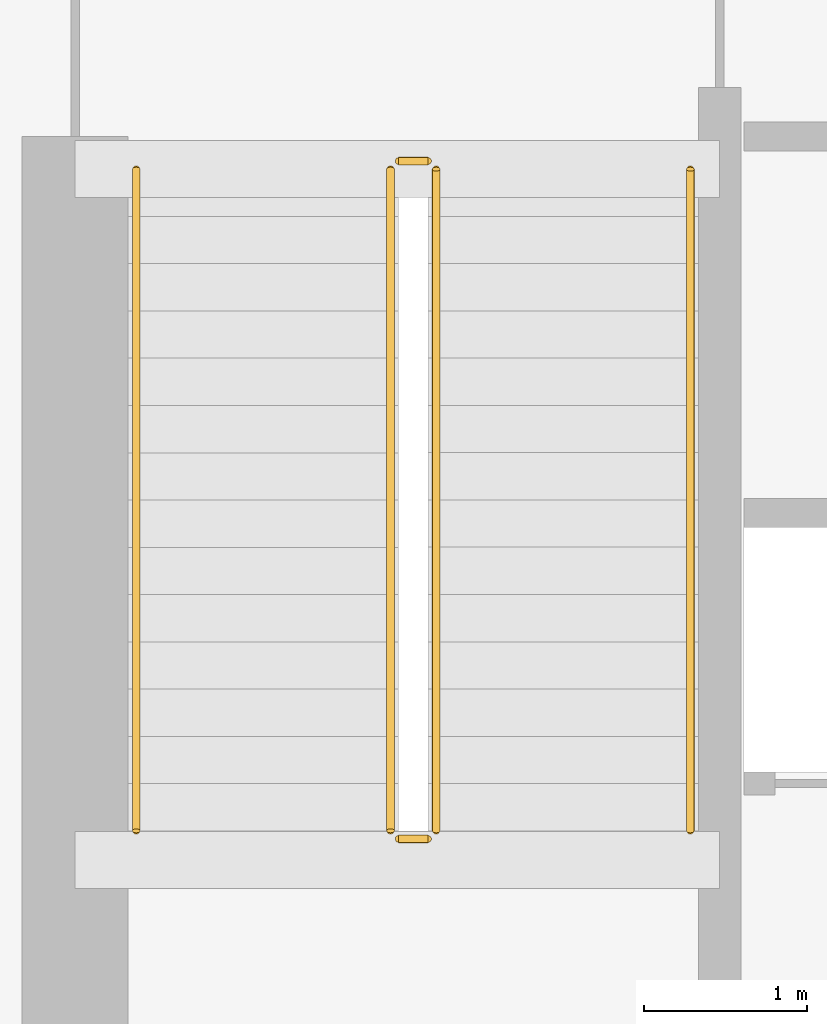
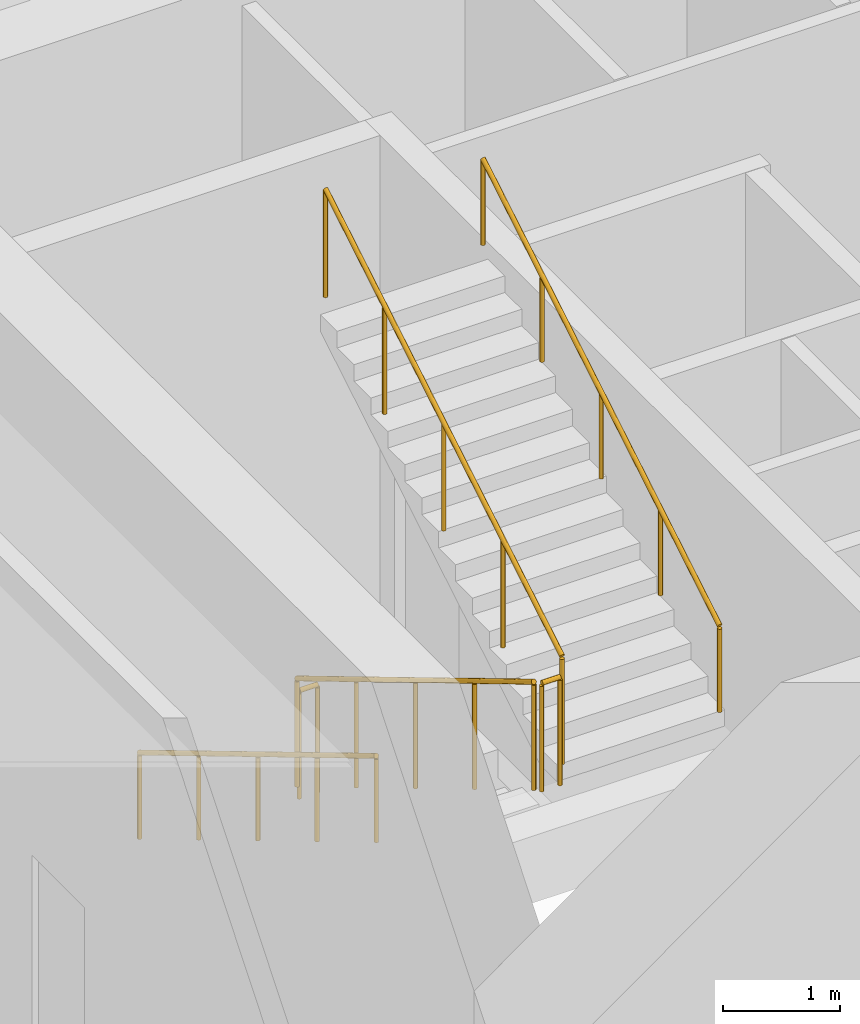
# One storey, part 8 of 10: 6 railings.
"""IFC4 building model written with IfcOpenShell, lengths in metres."""

import ifcopenshell
import ifcopenshell.guid

model = None  # the IFC model being written
_history = None  # IfcOwnerHistory: only IFC2X3 demands one
_inside = {}  # id of a spatial element -> (the spatial element, [elements in it])
_under = {}  # id of a project, library or spatial element -> (it, [spatial elements below it])
_declared = {}  # id of a project -> (the project, [libraries it declares])
_typed = {}  # id of a type object -> (the type object, [elements of that type])
_made_of = {}  # id of a material, layer set ... -> (it, [elements and type objects made of it])


def new_model(schema):
    """Start an empty IFC model of exactly this schema.

    Asked for "IFC4X3", IfcOpenShell would pick the latest addendum, in which some entities
    have other attributes; the version numbers below select the first issue.
    IFC2X3 requires an IfcOwnerHistory on every rooted entity: one is made here for all.
    """
    global model, _history
    if schema == "IFC4X3":
        model = ifcopenshell.file(schema_version=(4, 3, 0, 0))
    else:
        model = ifcopenshell.file(schema=schema)
    _inside.clear()
    _under.clear()
    _declared.clear()
    _typed.clear()
    _made_of.clear()
    _history = None
    if model.schema == "IFC2X3":
        org = make("IfcOrganization", Name="unknown")
        user = make(
            "IfcPersonAndOrganization",
            ThePerson=make("IfcPerson", FamilyName="unknown"),
            TheOrganization=org,
        )
        app = make(
            "IfcApplication",
            ApplicationDeveloper=org,
            Version="unknown",
            ApplicationFullName="unknown",
            ApplicationIdentifier="unknown",
        )
        _history = make(
            "IfcOwnerHistory",
            OwningUser=user,
            OwningApplication=app,
            ChangeAction="ADDED",
            CreationDate=0,
        )
    return model


def make(cls, **values):
    """One entity of the class cls with the attributes given. An attribute that is None is left unset."""
    return model.create_entity(
        cls, **{name: value for name, value in values.items() if value is not None}
    )


def rooted(cls, **values):
    """An entity with a GlobalId (a new one), such as an element, a storey or a relation."""
    return make(cls, GlobalId=ifcopenshell.guid.new(), OwnerHistory=_history, **values)


def si_unit(unit_type, name, prefix=None):
    """IfcSIUnit, for example si_unit("LENGTHUNIT", "METRE", prefix="MILLI")."""
    return make("IfcSIUnit", UnitType=unit_type, Prefix=prefix, Name=name)


def assignment(units):
    """IfcUnitAssignment: the units of a project."""
    return None if units is None else make("IfcUnitAssignment", Units=units)


def point(xyz):
    """IfcCartesianPoint."""
    return None if xyz is None else make("IfcCartesianPoint", Coordinates=xyz)


def direction(xyz):
    """IfcDirection."""
    return None if xyz is None else make("IfcDirection", DirectionRatios=xyz)


def frame(location, z_axis=None, x_axis=None):
    """IfcAxis2Placement3D, a coordinate frame: its origin and axes. An axis left out is left unset."""
    return make(
        "IfcAxis2Placement3D",
        Location=point(location),
        Axis=direction(z_axis),
        RefDirection=direction(x_axis),
    )


def frame_2d(location, x_axis=None):
    """IfcAxis2Placement2D, a coordinate frame in the plane: its origin and x axis."""
    return make(
        "IfcAxis2Placement2D", Location=point(location), RefDirection=direction(x_axis)
    )


def origin():
    """The frame at (0, 0, 0) with its axes left unset."""
    return frame((0.0, 0.0, 0.0))


def origin_2d():
    """The frame at (0, 0) in the plane with its x axis left unset."""
    return frame_2d((0.0, 0.0))


def place(relative_to, where):
    """IfcLocalPlacement: puts the frame where relative to a parent placement (None: the world)."""
    return make(
        "IfcLocalPlacement", PlacementRelTo=relative_to, RelativePlacement=where
    )


def context(
    kind, dimensions, precision=None, world=None, true_north=None, identifier=None
):
    """IfcGeometricRepresentationContext, for example the 3D "Model" context."""
    return make(
        "IfcGeometricRepresentationContext",
        ContextIdentifier=identifier,
        ContextType=kind,
        CoordinateSpaceDimension=dimensions,
        Precision=precision,
        WorldCoordinateSystem=world,
        TrueNorth=true_north,
    )


def subcontext(parent, identifier, kind, view, scale=None):
    """IfcGeometricRepresentationSubContext, for example "Body" below "Model"."""
    return make(
        "IfcGeometricRepresentationSubContext",
        ContextIdentifier=identifier,
        ContextType=kind,
        ParentContext=parent,
        TargetScale=scale,
        TargetView=view,
    )


def project(units=None, contexts=None):
    """IfcProject with its units and contexts."""
    return rooted(
        "IfcProject",
        Name="project",
        RepresentationContexts=contexts,
        UnitsInContext=assignment(units),
    )


def spatial(cls, under=None, at=None, **own):
    """A site, building, storey or space (cls), placed at a placement, below another one or the project."""
    s = rooted(cls, ObjectPlacement=at, **own)
    if under is not None:
        _under.setdefault(under.id(), (under, []))[1].append(s)
    return s


def profile(cls, at=None, kind="AREA", **sizes):
    """A parametric profile (cls). Its sizes go by their IFC names, for example OverallWidth=200.0."""
    return make(cls, ProfileType=kind, Position=at, **sizes)


def circle(**sizes):
    """IfcCircleProfileDef."""
    return profile("IfcCircleProfileDef", **sizes)


def extrude(swept, where, along, depth):
    """IfcExtrudedAreaSolid: the profile swept, set in the frame where, extruded along a direction by depth."""
    return make(
        "IfcExtrudedAreaSolid",
        SweptArea=swept,
        Position=where,
        ExtrudedDirection=direction(along),
        Depth=depth,
    )


def shape(context_of_items, identifier, shape_type, items):
    """IfcShapeRepresentation: the items that make up one representation, for example the "Body"."""
    return make(
        "IfcShapeRepresentation",
        ContextOfItems=context_of_items,
        RepresentationIdentifier=identifier,
        RepresentationType=shape_type,
        Items=items,
    )


def material(Name=None, Category=None):
    """IfcMaterial."""
    return make("IfcMaterial", Name=Name, Category=Category)


def made_of(thing, what):
    """Note that an element or type object is made of a material, layer set ...; save() writes the relation."""
    if what is not None:
        _made_of.setdefault(what.id(), (what, []))[1].append(thing)
    return thing


def type_object(cls, material=None, **own):
    """A type object (cls), such as IfcWallType, which elements share."""
    return made_of(rooted(cls, **own), material)


def element(
    cls,
    number,
    at=None,
    inside=None,
    cuts=None,
    type_object=None,
    material=None,
    context=None,
    identifier="Body",
    shape_type=None,
    held_by="IfcProductDefinitionShape",
    body=None,
    shapes=None,
    **own,
):
    """One element of the class cls, such as IfcWall. Its Tag is "e" and its number.

    at: its placement. inside: the storey or other place that contains it. cuts: it is an
    opening in that element (IfcRelVoidsElement). A single representation is given by context,
    identifier, shape_type and body (its items); several are given by shapes. held_by: the class
    of the entity that holds the representations. save() writes the other relations.
    """
    e = rooted(cls, Tag="e%d" % number, ObjectPlacement=at, **own)
    if body is not None:
        shapes = [shape(context, identifier, shape_type, body)]
    if shapes is not None:
        e.Representation = make(held_by, Representations=shapes)
    if inside is not None:
        _inside.setdefault(inside.id(), (inside, []))[1].append(e)
    if cuts is not None:
        rooted(
            "IfcRelVoidsElement", RelatingBuildingElement=cuts, RelatedOpeningElement=e
        )
    if type_object is not None:
        _typed.setdefault(type_object.id(), (type_object, []))[1].append(e)
    return made_of(e, material)


def aggregate(whole, parts):
    """IfcRelAggregates: a whole, such as a stair, and the parts it consists of."""
    return rooted("IfcRelAggregates", RelatingObject=whole, RelatedObjects=parts)


def save(model, path):
    """Write the relations noted so far, then the file.

    IfcRelAggregates (storeys below a building ...), IfcRelContainedInSpatialStructure (elements
    in a storey), IfcRelDefinesByType, IfcRelAssociatesMaterial and IfcRelDeclares: one each for
    every whole, place, type object, material and project.
    """
    for whole, parts in _under.values():
        aggregate(whole, parts)
    for where, things in _inside.values():
        rooted(
            "IfcRelContainedInSpatialStructure",
            RelatedElements=things,
            RelatingStructure=where,
        )
    for kind, things in _typed.values():
        rooted("IfcRelDefinesByType", RelatedObjects=things, RelatingType=kind)
    for what, things in _made_of.values():
        rooted("IfcRelAssociatesMaterial", RelatedObjects=things, RelatingMaterial=what)
    for by, libraries in _declared.values():
        rooted("IfcRelDeclares", RelatingContext=by, RelatedDefinitions=libraries)
    model.write(path)


model = new_model("IFC4")

# Units and contexts
model_context = context("Model", 3, precision=1e-05, world=origin(), true_north=direction((0.0, 1.0)))
body_context = subcontext(model_context, "Body", "Model", "MODEL_VIEW")
ifc_project = project(units=[si_unit("LENGTHUNIT", "METRE"), si_unit("AREAUNIT", "SQUARE_METRE"), si_unit("VOLUMEUNIT", "CUBIC_METRE"), si_unit("PLANEANGLEUNIT", "RADIAN"), si_unit("MASSUNIT", "GRAM", prefix="KILO")], contexts=[model_context])

# Site, building, storey
site_placement = place(None, origin())
site = spatial("IfcSite", under=ifc_project, at=site_placement, CompositionType="ELEMENT")
building_placement = place(site_placement, origin())
building = spatial("IfcBuilding", under=site, at=building_placement, Name="Calvemar Wedge Station Tower", CompositionType="ELEMENT")
storey_placement = place(building_placement, frame((0.0, 0.0, 178.199951171875)))
storey = spatial("IfcBuildingStorey", under=building, at=storey_placement, Name="L44", CompositionType="ELEMENT", Elevation=178.199951171875)

# Railings
ifc_material_1 = material(Name="Stainless steel AISI 316L", Category="steel")
railing_type_1 = type_object("IfcRailingType", Name="RL-HANDRAIL-920", PredefinedType="HANDRAIL", material=ifc_material_1)
railing_1_placement = place(storey_placement, frame((16.64990234375, 41.14990234375, 0.17333984375)))
element("IfcRailing", 1, at=railing_1_placement, inside=storey, type_object=railing_type_1, Name="L44 ST-C1 stair handrail 1", PredefinedType="HANDRAIL", context=body_context, shape_type="SweptSolid", body=[
    extrude(circle(Radius=0.02392578125, at=origin_2d()), frame((0.0, 0.0, 0.89599609375), z_axis=(0.0, -0.858343435637, 0.513075575815), x_axis=(1.0, 0.0, 0.0)), (0.0, 0.0, 1.0), 4.729736328125),
    extrude(circle(Radius=0.02099609375, at=origin_2d()), origin(), (0.0, 0.0, 1.0), 0.871826171875),
    extrude(circle(Radius=0.02099609375, at=origin_2d()), frame((0.0, -1.014892578125, 0.606689453125)), (0.0, 0.0, 1.0), 0.871826171875),
    extrude(circle(Radius=0.02099609375, at=origin_2d()), frame((0.0, -2.02978515625, 1.21337890625)), (0.0, 0.0, 1.0), 0.871826171875),
    extrude(circle(Radius=0.02099609375, at=origin_2d()), frame((0.0, -3.044921875, 1.820068359375)), (0.0, 0.0, 1.0), 0.871826171875),
    extrude(circle(Radius=0.02099609375, at=origin_2d()), frame((0.0, -4.059814453125, 2.4267578125)), (0.0, 0.0, 1.0), 0.871826171875),
])
railing_2_placement = place(storey_placement, frame((20.050048828125, 37.090087890625, 2.7734375)))
element("IfcRailing", 2, at=railing_2_placement, inside=storey, type_object=railing_type_1, Name="L44 ST-C1 stair handrail 2", PredefinedType="HANDRAIL", context=body_context, shape_type="SweptSolid", body=[
    extrude(circle(Radius=0.02392578125, at=origin_2d()), frame((0.0, 0.0, 0.89599609375), z_axis=(0.0, 0.858366167383, 0.513037545109), x_axis=(-1.0, 0.0, 0.0)), (0.0, 0.0, 1.0), 4.729736328125),
    extrude(circle(Radius=0.02099609375, at=origin_2d()), origin(), (0.0, 0.0, 1.0), 0.871826171875),
    extrude(circle(Radius=0.02099609375, at=origin_2d()), frame((0.0, 1.014892578125, 0.606689453125)), (0.0, 0.0, 1.0), 0.871826171875),
    extrude(circle(Radius=0.02099609375, at=origin_2d()), frame((0.0, 2.02978515625, 1.21337890625)), (0.0, 0.0, 1.0), 0.871826171875),
    extrude(circle(Radius=0.02099609375, at=origin_2d()), frame((0.0, 3.044921875, 1.81982421875)), (0.0, 0.0, 1.0), 0.871826171875),
    extrude(circle(Radius=0.02099609375, at=origin_2d()), frame((0.0, 4.059814453125, 2.426513671875)), (0.0, 0.0, 1.0), 0.871826171875),
])
ifc_material_2 = material(Name="Painted steel guardrail ASTM A500 Grade C", Category="steel")
railing_type_2 = type_object("IfcRailingType", Name="RL-STAIR-GUARD-1150", PredefinedType="GUARDRAIL", material=ifc_material_2)
railing_3_placement = place(storey_placement, frame((18.2099609375, 41.14990234375, 0.17333984375)))
element("IfcRailing", 3, at=railing_3_placement, inside=storey, type_object=railing_type_2, Name="L44 ST-C1 stair guard 1", PredefinedType="GUARDRAIL", context=body_context, shape_type="SweptSolid", body=[
    extrude(circle(Radius=0.02392578125, at=origin_2d()), frame((0.0, 0.0, 1.1259765625), z_axis=(0.0, -0.858343435637, 0.513075575815), x_axis=(1.0, 0.0, 0.0)), (0.0, 0.0, 1.0), 4.729736328125),
    extrude(circle(Radius=0.02099609375, at=origin_2d()), origin(), (0.0, 0.0, 1.0), 1.101806640625),
    extrude(circle(Radius=0.02099609375, at=origin_2d()), frame((0.0, -1.014892578125, 0.606689453125)), (0.0, 0.0, 1.0), 1.101806640625),
    extrude(circle(Radius=0.02099609375, at=origin_2d()), frame((0.0, -2.02978515625, 1.21337890625)), (0.0, 0.0, 1.0), 1.101806640625),
    extrude(circle(Radius=0.02099609375, at=origin_2d()), frame((0.0, -3.044921875, 1.820068359375)), (0.0, 0.0, 1.0), 1.101806640625),
    extrude(circle(Radius=0.02099609375, at=origin_2d()), frame((0.0, -4.059814453125, 2.4267578125)), (0.0, 0.0, 1.0), 1.101806640625),
])
railing_4_placement = place(storey_placement, frame((18.260009765625, 37.0400390625, 2.60009765625)))
element("IfcRailing", 4, at=railing_4_placement, inside=storey, type_object=railing_type_2, Name="L44 ST-C1 stair guard 2", PredefinedType="GUARDRAIL", context=body_context, shape_type="SweptSolid", body=[
    extrude(circle(Radius=0.02392578125, at=origin_2d()), frame((0.0, 0.0, 1.1259765625), z_axis=(1.0, 0.0, 0.0), x_axis=(0.0, 1.0, 0.0)), (0.0, 0.0, 1.0), 0.179931640625),
    extrude(circle(Radius=0.02099609375, at=origin_2d()), origin(), (0.0, 0.0, 1.0), 1.101806640625),
    extrude(circle(Radius=0.02099609375, at=origin_2d()), frame((0.179931640625, 0.0, 0.0)), (0.0, 0.0, 1.0), 1.101806640625),
])
railing_5_placement = place(storey_placement, frame((18.489990234375, 37.090087890625, 2.7734375)))
element("IfcRailing", 5, at=railing_5_placement, inside=storey, type_object=railing_type_2, Name="L44 ST-C1 stair guard 3", PredefinedType="GUARDRAIL", context=body_context, shape_type="SweptSolid", body=[
    extrude(circle(Radius=0.02392578125, at=origin_2d()), frame((0.0, 0.0, 1.1259765625), z_axis=(0.0, 0.858366167383, 0.513037545109), x_axis=(-1.0, 0.0, 0.0)), (0.0, 0.0, 1.0), 4.729736328125),
    extrude(circle(Radius=0.02099609375, at=origin_2d()), origin(), (0.0, 0.0, 1.0), 1.101806640625),
    extrude(circle(Radius=0.02099609375, at=origin_2d()), frame((0.0, 1.014892578125, 0.606689453125)), (0.0, 0.0, 1.0), 1.101806640625),
    extrude(circle(Radius=0.02099609375, at=origin_2d()), frame((0.0, 2.02978515625, 1.21337890625)), (0.0, 0.0, 1.0), 1.101806640625),
    extrude(circle(Radius=0.02099609375, at=origin_2d()), frame((0.0, 3.044921875, 1.81982421875)), (0.0, 0.0, 1.0), 1.101806640625),
    extrude(circle(Radius=0.02099609375, at=origin_2d()), frame((0.0, 4.059814453125, 2.426513671875)), (0.0, 0.0, 1.0), 1.101806640625),
])
railing_6_placement = place(storey_placement, frame((18.260009765625, 41.199951171875, 0.0)))
element("IfcRailing", 6, at=railing_6_placement, inside=storey, type_object=railing_type_2, Name="L44 ST-C1 stair guard 4", PredefinedType="GUARDRAIL", context=body_context, shape_type="SweptSolid", body=[
    extrude(circle(Radius=0.02392578125, at=origin_2d()), frame((0.0, 0.0, 1.1259765625), z_axis=(1.0, 0.0, 0.0), x_axis=(0.0, 1.0, 0.0)), (0.0, 0.0, 1.0), 0.179931640625),
    extrude(circle(Radius=0.02099609375, at=origin_2d()), origin(), (0.0, 0.0, 1.0), 1.101806640625),
    extrude(circle(Radius=0.02099609375, at=origin_2d()), frame((0.179931640625, 0.0, 0.0)), (0.0, 0.0, 1.0), 1.101806640625),
])

save(model, "model.ifc")
